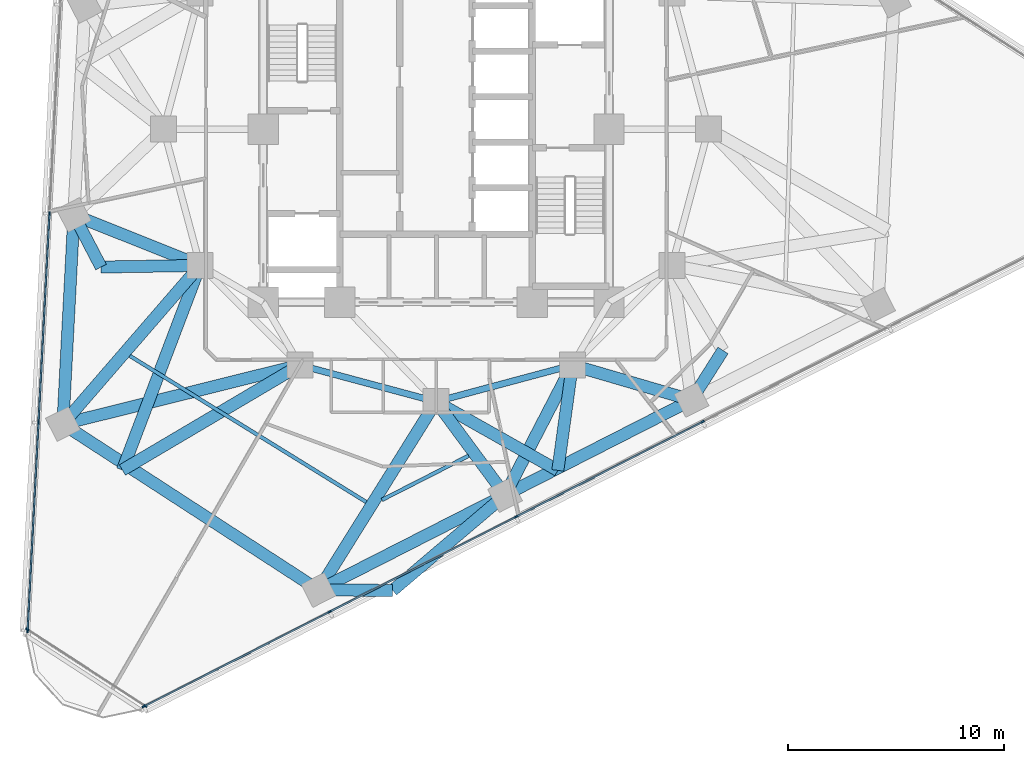
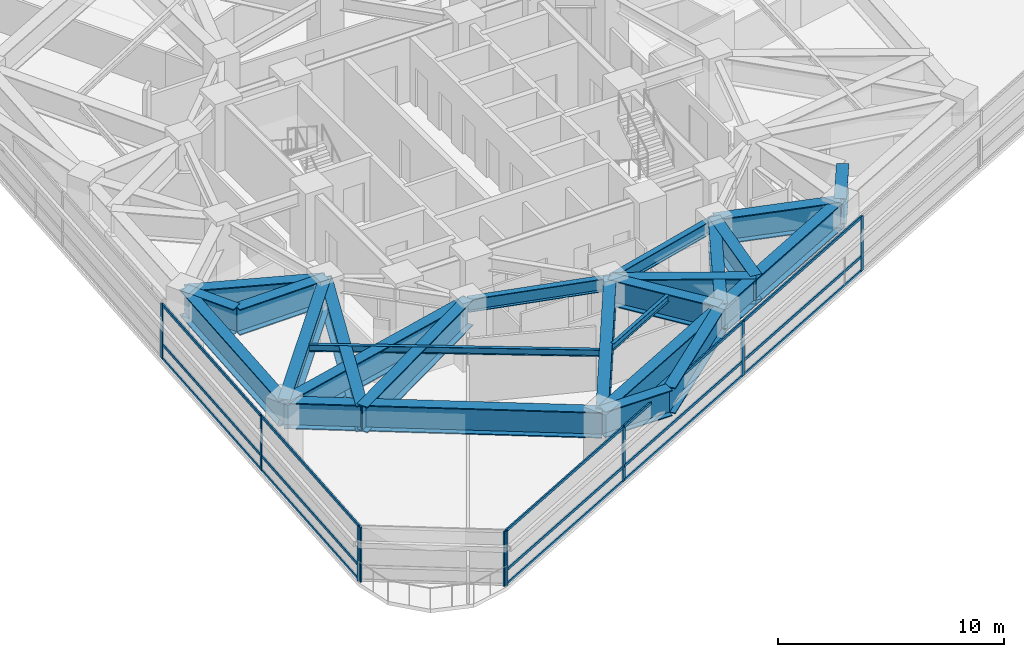
# One storey, part 2 of 15: 24 beams, 24 members, 3 elements without a shape of their own.
"""IFC4 building model written with IfcOpenShell, lengths in metres."""

from ifc_helpers import new_model, si_unit, direction, frame, origin, origin_2d, place, context, subcontext, project, spatial, rectangle, i_section, extrude, material, layer, layer_set, material_profile, profile_set, type_object, element, aggregate, save


model = new_model("IFC4")

# Units and contexts
model_context = context("Model", 3, precision=1e-05, world=origin(), true_north=direction((0.0, 1.0)))
body_context = subcontext(model_context, "Body", "Model", "MODEL_VIEW")
ifc_project = project(units=[si_unit("LENGTHUNIT", "METRE"), si_unit("AREAUNIT", "SQUARE_METRE"), si_unit("VOLUMEUNIT", "CUBIC_METRE"), si_unit("PLANEANGLEUNIT", "RADIAN"), si_unit("MASSUNIT", "GRAM", prefix="KILO")], contexts=[model_context])

# Site, building, storey
site_placement = place(None, origin())
site = spatial("IfcSite", under=ifc_project, at=site_placement, CompositionType="ELEMENT")
building_placement = place(site_placement, origin())
building = spatial("IfcBuilding", under=site, at=building_placement, Name="Terralouvre Media Tower", CompositionType="ELEMENT")
storey_placement = place(building_placement, frame((0.0, 0.0, 145.800048828125)))
storey = spatial("IfcBuildingStorey", under=building, at=storey_placement, Name="L37", CompositionType="ELEMENT", Elevation=145.800048828125)

# Beams
ifc_material_1 = material(Name="Structural steel S355J2", Category="steel")
ifc_material_profile_1 = material_profile(ifc_material_1, i_section(OverallWidth=0.169921875, OverallDepth=0.360107421875, WebThickness=0.008056640625, FlangeThickness=0.0126953125, at=origin_2d()), Name="IPE 360")
ifc_profile_set_1 = profile_set([ifc_material_profile_1], Name="Structural steel S355J2")
beam_type_1 = type_object("IfcBeamType", Name="Composite Floor Joist J-IPE360 (IPE 360)", PredefinedType="JOIST", material=ifc_profile_set_1)
beam_1_placement = place(storey_placement, frame((-14.163330078125, -10.482666015625, 3.280029296875), z_axis=(0.850515509908, -0.525949966638, 0.0), x_axis=(0.525949966638, 0.850515509908, 0.0)))
element("IfcBeam", 1, at=beam_1_placement, inside=storey, type_object=beam_type_1, Name="L37 Framing Beam JT-L37-02", PredefinedType="JOIST", context=body_context, shape_type="SweptSolid", body=[
    extrude(i_section(OverallWidth=0.169921875, OverallDepth=0.360107421875, WebThickness=0.008056640625, FlangeThickness=0.0126953125, at=origin_2d()), origin(), (0.0, 0.0, 1.0), 12.85888671875),
])
beam_2_placement = place(storey_placement, frame((-2.508056640625, -17.146484375, 3.280029296875), z_axis=(0.891005965992, 0.453991595261, 0.0), x_axis=(-0.453991595261, 0.891005965992, 0.0)))
element("IfcBeam", 2, at=beam_2_placement, inside=storey, type_object=beam_type_1, Name="L37 Framing Beam JT-L37-03", PredefinedType="JOIST", context=body_context, shape_type="SweptSolid", body=[
    extrude(i_section(OverallWidth=0.169921875, OverallDepth=0.360107421875, WebThickness=0.008056640625, FlangeThickness=0.0126953125, at=origin_2d()), origin(), (0.0, 0.0, 1.0), 4.5009765625),
])

# Curtain wall, members
ifc_material_2 = material(Name="Low-iron laminated double glazing with solar-control coating", Category="glass")
ifc_layer_1 = layer(ifc_material_2, 0.1650390625, Name="Production Studio Tower Curtain Wall CW-03")
ifc_layer_set_1 = layer_set([ifc_layer_1], Name="Low-iron laminated double glazing with solar-control coating")
curtain_wall_type_1 = type_object("IfcCurtainWallType", Name="Production Studio Tower Curtain Wall CW-03", PredefinedType="NOTDEFINED", material=ifc_layer_set_1)
curtain_wall_1_placement = place(storey_placement, origin())
curtain_wall_1 = element("IfcCurtainWall", 3, at=curtain_wall_1_placement, inside=storey, type_object=curtain_wall_type_1, Name="L37 Facade Curtain Wall F0", PredefinedType="NOTDEFINED")
ifc_material_3 = material(Name="Anodised extruded aluminium 6063-T6", Category="aluminium")
ifc_material_profile_2 = material_profile(ifc_material_3, rectangle(XDim=0.074951171875, YDim=0.14990234375, at=origin_2d()), Name="ALU 75x150")
ifc_profile_set_2 = profile_set([ifc_material_profile_2], Name="Anodised extruded aluminium 6063-T6")
member_type_1 = type_object("IfcMemberType", Name="Curtain-Wall Horizontal Transom TR-150", PredefinedType="USERDEFINED", material=ifc_profile_set_2)
member_1_placement = place(storey_placement, frame((-13.481689453125, -26.680419921875, 0.037353515625), z_axis=(0.891007557644, 0.453988471462, 0.0), x_axis=(-0.453988471462, 0.891007557644, 0.0)))
member_1 = element("IfcMember", 4, at=member_1_placement, type_object=member_type_1, Name="CW-03 transom 1.1", ObjectType="TRANSOM", PredefinedType="USERDEFINED", context=body_context, shape_type="SweptSolid", body=[
    extrude(rectangle(XDim=0.074951171875, YDim=0.14990234375, at=origin_2d()), origin(), (0.0, 0.0, 1.0), 9.5673828125),
])
member_2_placement = place(storey_placement, frame((-13.481689453125, -26.680419921875, 0.800048828125), z_axis=(0.891007557644, 0.453988471462, 0.0), x_axis=(-0.453988471462, 0.891007557644, 0.0)))
member_2 = element("IfcMember", 5, at=member_2_placement, type_object=member_type_1, Name="CW-03 transom 1.2", ObjectType="TRANSOM", PredefinedType="USERDEFINED", context=body_context, shape_type="SweptSolid", body=[
    extrude(rectangle(XDim=0.074951171875, YDim=0.14990234375, at=origin_2d()), origin(), (0.0, 0.0, 1.0), 9.5673828125),
])
member_3_placement = place(storey_placement, frame((-13.481689453125, -26.680419921875, 2.92236328125), z_axis=(0.891007557644, 0.453988471462, 0.0), x_axis=(-0.453988471462, 0.891007557644, 0.0)))
member_3 = element("IfcMember", 6, at=member_3_placement, type_object=member_type_1, Name="CW-03 transom 1.3", ObjectType="TRANSOM", PredefinedType="USERDEFINED", context=body_context, shape_type="SweptSolid", body=[
    extrude(rectangle(XDim=0.074951171875, YDim=0.14990234375, at=origin_2d()), origin(), (0.0, 0.0, 1.0), 9.5673828125),
])
member_4_placement = place(storey_placement, frame((-4.89013671875, -22.302978515625, 0.037353515625), z_axis=(0.891005548508, 0.453992414615, 0.0), x_axis=(-0.453992414615, 0.891005548508, 0.0)))
member_4 = element("IfcMember", 7, at=member_4_placement, type_object=member_type_1, Name="CW-03 transom 2.1", ObjectType="TRANSOM", PredefinedType="USERDEFINED", context=body_context, shape_type="SweptSolid", body=[
    extrude(rectangle(XDim=0.074951171875, YDim=0.14990234375, at=origin_2d()), origin(), (0.0, 0.0, 1.0), 9.60498046875),
])
member_5_placement = place(storey_placement, frame((-4.89013671875, -22.302978515625, 0.800048828125), z_axis=(0.891005548508, 0.453992414615, 0.0), x_axis=(-0.453992414615, 0.891005548508, 0.0)))
member_5 = element("IfcMember", 8, at=member_5_placement, type_object=member_type_1, Name="CW-03 transom 2.2", ObjectType="TRANSOM", PredefinedType="USERDEFINED", context=body_context, shape_type="SweptSolid", body=[
    extrude(rectangle(XDim=0.074951171875, YDim=0.14990234375, at=origin_2d()), origin(), (0.0, 0.0, 1.0), 9.60498046875),
])
member_6_placement = place(storey_placement, frame((-4.89013671875, -22.302978515625, 2.92236328125), z_axis=(0.891005548508, 0.453992414615, 0.0), x_axis=(-0.453992414615, 0.891005548508, 0.0)))
member_6 = element("IfcMember", 9, at=member_6_placement, type_object=member_type_1, Name="CW-03 transom 2.3", ObjectType="TRANSOM", PredefinedType="USERDEFINED", context=body_context, shape_type="SweptSolid", body=[
    extrude(rectangle(XDim=0.074951171875, YDim=0.14990234375, at=origin_2d()), origin(), (0.0, 0.0, 1.0), 9.60498046875),
])
member_7_placement = place(storey_placement, frame((3.734619140625, -17.908203125, 0.037353515625), z_axis=(0.891005548508, 0.453992414615, 0.0), x_axis=(-0.453992414615, 0.891005548508, 0.0)))
member_7 = element("IfcMember", 10, at=member_7_placement, type_object=member_type_1, Name="CW-03 transom 3.1", ObjectType="TRANSOM", PredefinedType="USERDEFINED", context=body_context, shape_type="SweptSolid", body=[
    extrude(rectangle(XDim=0.074951171875, YDim=0.14990234375, at=origin_2d()), origin(), (0.0, 0.0, 1.0), 9.60498046875),
])
member_8_placement = place(storey_placement, frame((3.734619140625, -17.908203125, 0.800048828125), z_axis=(0.891005548508, 0.453992414615, 0.0), x_axis=(-0.453992414615, 0.891005548508, 0.0)))
member_8 = element("IfcMember", 11, at=member_8_placement, type_object=member_type_1, Name="CW-03 transom 3.2", ObjectType="TRANSOM", PredefinedType="USERDEFINED", context=body_context, shape_type="SweptSolid", body=[
    extrude(rectangle(XDim=0.074951171875, YDim=0.14990234375, at=origin_2d()), origin(), (0.0, 0.0, 1.0), 9.60498046875),
])
member_9_placement = place(storey_placement, frame((3.734619140625, -17.908203125, 2.92236328125), z_axis=(0.891005548508, 0.453992414615, 0.0), x_axis=(-0.453992414615, 0.891005548508, 0.0)))
member_9 = element("IfcMember", 12, at=member_9_placement, type_object=member_type_1, Name="CW-03 transom 3.3", ObjectType="TRANSOM", PredefinedType="USERDEFINED", context=body_context, shape_type="SweptSolid", body=[
    extrude(rectangle(XDim=0.074951171875, YDim=0.14990234375, at=origin_2d()), origin(), (0.0, 0.0, 1.0), 9.60498046875),
])

curtain_wall_2_placement = place(storey_placement, origin())
curtain_wall_2 = element("IfcCurtainWall", 13, at=curtain_wall_2_placement, inside=storey, type_object=curtain_wall_type_1, Name="L37 Facade Curtain Wall F2", PredefinedType="NOTDEFINED")
member_10_placement = place(storey_placement, frame((-17.883056640625, -3.947021484375, 0.037353515625), z_axis=(-0.052336036535, -0.998629530547, 0.0), x_axis=(0.998629530547, -0.052336036535, 0.0)))
member_10 = element("IfcMember", 14, at=member_10_placement, type_object=member_type_1, Name="CW-03 transom 4.1", ObjectType="TRANSOM", PredefinedType="USERDEFINED", context=body_context, shape_type="SweptSolid", body=[
    extrude(rectangle(XDim=0.074951171875, YDim=0.14990234375, at=origin_2d()), origin(), (0.0, 0.0, 1.0), 9.60498046875),
])
member_11_placement = place(storey_placement, frame((-17.883056640625, -3.947021484375, 0.800048828125), z_axis=(-0.052336036535, -0.998629530547, 0.0), x_axis=(0.998629530547, -0.052336036535, 0.0)))
member_11 = element("IfcMember", 15, at=member_11_placement, type_object=member_type_1, Name="CW-03 transom 4.2", ObjectType="TRANSOM", PredefinedType="USERDEFINED", context=body_context, shape_type="SweptSolid", body=[
    extrude(rectangle(XDim=0.074951171875, YDim=0.14990234375, at=origin_2d()), origin(), (0.0, 0.0, 1.0), 9.60498046875),
])
member_12_placement = place(storey_placement, frame((-17.883056640625, -3.947021484375, 2.92236328125), z_axis=(-0.052336036535, -0.998629530547, 0.0), x_axis=(0.998629530547, -0.052336036535, 0.0)))
member_12 = element("IfcMember", 16, at=member_12_placement, type_object=member_type_1, Name="CW-03 transom 4.3", ObjectType="TRANSOM", PredefinedType="USERDEFINED", context=body_context, shape_type="SweptSolid", body=[
    extrude(rectangle(XDim=0.074951171875, YDim=0.14990234375, at=origin_2d()), origin(), (0.0, 0.0, 1.0), 9.60498046875),
])
member_13_placement = place(storey_placement, frame((-18.3896484375, -13.61376953125, 0.037353515625), z_axis=(-0.052336504837, -0.998629506004, 0.0), x_axis=(0.998629506004, -0.052336504837, 0.0)))
member_13 = element("IfcMember", 17, at=member_13_placement, type_object=member_type_1, Name="CW-03 transom 5.1", ObjectType="TRANSOM", PredefinedType="USERDEFINED", context=body_context, shape_type="SweptSolid", body=[
    extrude(rectangle(XDim=0.074951171875, YDim=0.14990234375, at=origin_2d()), origin(), (0.0, 0.0, 1.0), 9.567626953125),
])
member_14_placement = place(storey_placement, frame((-18.3896484375, -13.61376953125, 0.800048828125), z_axis=(-0.052336504837, -0.998629506004, 0.0), x_axis=(0.998629506004, -0.052336504837, 0.0)))
member_14 = element("IfcMember", 18, at=member_14_placement, type_object=member_type_1, Name="CW-03 transom 5.2", ObjectType="TRANSOM", PredefinedType="USERDEFINED", context=body_context, shape_type="SweptSolid", body=[
    extrude(rectangle(XDim=0.074951171875, YDim=0.14990234375, at=origin_2d()), origin(), (0.0, 0.0, 1.0), 9.567626953125),
])
member_15_placement = place(storey_placement, frame((-18.3896484375, -13.61376953125, 2.92236328125), z_axis=(-0.052336504837, -0.998629506004, 0.0), x_axis=(0.998629506004, -0.052336504837, 0.0)))
member_15 = element("IfcMember", 19, at=member_15_placement, type_object=member_type_1, Name="CW-03 transom 5.3", ObjectType="TRANSOM", PredefinedType="USERDEFINED", context=body_context, shape_type="SweptSolid", body=[
    extrude(rectangle(XDim=0.074951171875, YDim=0.14990234375, at=origin_2d()), origin(), (0.0, 0.0, 1.0), 9.567626953125),
])

# Member
ifc_material_4 = material(Name="Anodised extruded aluminium 6063-T6", Category="aluminium")
ifc_material_profile_3 = material_profile(ifc_material_4, rectangle(XDim=0.074951171875, YDim=0.179931640625, at=origin_2d()), Name="ALU 75x180")
ifc_profile_set_3 = profile_set([ifc_material_profile_3], Name="Anodised extruded aluminium 6063-T6")
member_type_2 = type_object("IfcMemberType", Name="Curtain-Wall Vertical Mullion ML-180", PredefinedType="MULLION", material=ifc_profile_set_3)
member_16_placement = place(storey_placement, frame((-13.51513671875, -26.697509765625, 0.0), z_axis=(0.0, 0.0, 1.0), x_axis=(-0.4539905449, 0.891006501178, 0.0)))
member_16 = element("IfcMember", 20, at=member_16_placement, type_object=member_type_2, Name="CW-03 mullion 1", PredefinedType="MULLION", context=body_context, shape_type="SweptSolid", body=[
    extrude(rectangle(XDim=0.074951171875, YDim=0.179931640625, at=origin_2d()), origin(), (0.0, 0.0, 1.0), 2.9599609375),
])

member_17_placement = place(storey_placement, frame((-4.923583984375, -22.31982421875, 0.0), z_axis=(0.0, 0.0, 1.0), x_axis=(-0.4539905449, 0.891006501178, 0.0)))
member_17 = element("IfcMember", 21, at=member_17_placement, type_object=member_type_2, Name="CW-03 mullion 2", PredefinedType="MULLION", context=body_context, shape_type="SweptSolid", body=[
    extrude(rectangle(XDim=0.074951171875, YDim=0.179931640625, at=origin_2d()), origin(), (0.0, 0.0, 1.0), 2.9599609375),
])

member_18_placement = place(storey_placement, frame((3.701416015625, -17.92529296875, 0.0), z_axis=(0.0, 0.0, 1.0), x_axis=(-0.4539905449, 0.891006501178, 0.0)))
member_18 = element("IfcMember", 22, at=member_18_placement, type_object=member_type_2, Name="CW-03 mullion 3", PredefinedType="MULLION", context=body_context, shape_type="SweptSolid", body=[
    extrude(rectangle(XDim=0.074951171875, YDim=0.179931640625, at=origin_2d()), origin(), (0.0, 0.0, 1.0), 2.9599609375),
])

member_19_placement = place(storey_placement, frame((12.326171875, -13.530517578125, 0.0), z_axis=(0.0, 0.0, 1.0), x_axis=(-0.4539905449, 0.891006501178, 0.0)))
member_19 = element("IfcMember", 23, at=member_19_placement, type_object=member_type_2, Name="CW-03 mullion 4", PredefinedType="MULLION", context=body_context, shape_type="SweptSolid", body=[
    extrude(rectangle(XDim=0.074951171875, YDim=0.179931640625, at=origin_2d()), origin(), (0.0, 0.0, 1.0), 2.9599609375),
])

aggregate(curtain_wall_1, [member_16, member_17, member_18, member_19, member_1, member_2, member_3, member_4, member_5, member_6, member_7, member_8, member_9])

member_20_placement = place(storey_placement, frame((-17.881103515625, -3.909423828125, 0.0), z_axis=(0.0, 0.0, 1.0), x_axis=(0.998629535089, -0.052335949864, 0.0)))
member_20 = element("IfcMember", 24, at=member_20_placement, type_object=member_type_2, Name="CW-03 mullion 4", PredefinedType="MULLION", context=body_context, shape_type="SweptSolid", body=[
    extrude(rectangle(XDim=0.074951171875, YDim=0.179931640625, at=origin_2d()), origin(), (0.0, 0.0, 1.0), 2.9599609375),
])

member_21_placement = place(storey_placement, frame((-18.3876953125, -13.576171875, 0.0), z_axis=(0.0, 0.0, 1.0), x_axis=(0.998629535089, -0.052335949864, 0.0)))
member_21 = element("IfcMember", 25, at=member_21_placement, type_object=member_type_2, Name="CW-03 mullion 5", PredefinedType="MULLION", context=body_context, shape_type="SweptSolid", body=[
    extrude(rectangle(XDim=0.074951171875, YDim=0.179931640625, at=origin_2d()), origin(), (0.0, 0.0, 1.0), 2.9599609375),
])

member_22_placement = place(storey_placement, frame((-18.892333984375, -23.20556640625, 0.0), z_axis=(0.0, 0.0, 1.0), x_axis=(0.998629535089, -0.052335949864, 0.0)))
member_22 = element("IfcMember", 26, at=member_22_placement, type_object=member_type_2, Name="CW-03 mullion 6", PredefinedType="MULLION", context=body_context, shape_type="SweptSolid", body=[
    extrude(rectangle(XDim=0.074951171875, YDim=0.179931640625, at=origin_2d()), origin(), (0.0, 0.0, 1.0), 2.9599609375),
])

aggregate(curtain_wall_2, [member_20, member_21, member_22, member_10, member_11, member_12, member_13, member_14, member_15])

# Curtain wall, members
ifc_material_5 = material(Name="Low-iron laminated double glazing with solar-control coating", Category="glass")
ifc_layer_2 = layer(ifc_material_5, 0.1650390625, Name="Rounded Wind-Corner Curved Glazing CW-04")
ifc_layer_set_2 = layer_set([ifc_layer_2], Name="Low-iron laminated double glazing with solar-control coating")
curtain_wall_type_2 = type_object("IfcCurtainWallType", Name="Rounded Wind-Corner Curved Glazing CW-04", PredefinedType="NOTDEFINED", material=ifc_layer_set_2)
curtain_wall_3_placement = place(storey_placement, origin())
curtain_wall_3 = element("IfcCurtainWall", 27, at=curtain_wall_3_placement, inside=storey, type_object=curtain_wall_type_2, Name="L37 Rounded Wind-Corner Curtain Wall C0", PredefinedType="NOTDEFINED")
member_23_placement = place(storey_placement, frame((-18.90625, -23.1396484375, 0.0), z_axis=(0.0, 0.0, 1.0), x_axis=(0.544639308152, 0.838670390568, 0.0)))
member_23 = element("IfcMember", 28, at=member_23_placement, type_object=member_type_2, Name="CW-04 mullion 1", PredefinedType="MULLION", context=body_context, shape_type="SweptSolid", body=[
    extrude(rectangle(XDim=0.074951171875, YDim=0.179931640625, at=origin_2d()), origin(), (0.0, 0.0, 1.0), 2.9599609375),
])
member_24_placement = place(storey_placement, frame((-13.44921875, -26.68359375, 0.0), z_axis=(0.0, 0.0, 1.0), x_axis=(0.544639308152, 0.838670390568, 0.0)))
member_24 = element("IfcMember", 29, at=member_24_placement, type_object=member_type_2, Name="CW-04 mullion 2", PredefinedType="MULLION", context=body_context, shape_type="SweptSolid", body=[
    extrude(rectangle(XDim=0.074951171875, YDim=0.179931640625, at=origin_2d()), origin(), (0.0, 0.0, 1.0), 2.9599609375),
])
aggregate(curtain_wall_3, [member_23, member_24])

# Beams
ifc_material_6 = material(Name="Structural steel S460M", Category="steel")
ifc_material_profile_4 = material_profile(ifc_material_6, i_section(OverallWidth=0.300048828125, OverallDepth=0.699951171875, WebThickness=0.01708984375, FlangeThickness=0.031982421875, at=origin_2d()), Name="HEB 700")
ifc_profile_set_4 = profile_set([ifc_material_profile_4], Name="Structural steel S460M")
beam_type_2 = type_object("IfcBeamType", Name="Primary Floor Girder B-HEB700 (HEB 700)", PredefinedType="BEAM", material=ifc_profile_set_4)
for number, where, z_axis, x_axis, name in (
    (30, (-6.300048828125, -10.911865234375, 3.10986328125), (0.965920481897, -0.258838989821, 0.0), (0.258838989821, 0.965920481897, 0.0), "L37 Framing Beam BM-L37-MR02"),
    (31, (0.0, -12.60009765625, 3.10986328125), (0.965920481897, 0.258838989821, 0.0), (-0.258838989821, 0.965920481897, 0.0), "L37 Framing Beam BM-L37-MR03"),
):
    element("IfcBeam", number, at=place(storey_placement, frame(where, z_axis=z_axis, x_axis=x_axis)), inside=storey, type_object=beam_type_2, Name=name, PredefinedType="BEAM", context=body_context, shape_type="SweptSolid", body=[
        extrude(i_section(OverallWidth=0.300048828125, OverallDepth=0.699951171875, WebThickness=0.01708984375, FlangeThickness=0.031982421875, at=origin_2d()), origin(), (0.0, 0.0, 1.0), 6.522216796875),
    ])
ifc_material_7 = material(Name="Structural steel S460M", Category="steel")
ifc_material_profile_5 = material_profile(ifc_material_7, i_section(OverallWidth=0.56005859375, OverallDepth=1.39990234375, WebThickness=0.031982421875, FlangeThickness=0.050048828125, at=origin_2d()), Name="TG 1400x560")
ifc_profile_set_5 = profile_set([ifc_material_profile_5], Name="Structural steel S460M")
beam_type_3 = type_object("IfcBeamType", Name="Welded Transfer Girder TG-1400 (TG 1400x560)", PredefinedType="USERDEFINED", material=ifc_profile_set_5)
beam_3_placement = place(storey_placement, frame((-16.75244140625, -3.96875, 2.760009765625), z_axis=(-0.052333792648, -0.998629648141, 0.0), x_axis=(0.998629648141, -0.052333792648, 0.0)))
element("IfcBeam", 32, at=beam_3_placement, inside=storey, type_object=beam_type_3, Name="L37 Framing Beam BM-L37-PR01", ObjectType="TRANSFER GIRDER", PredefinedType="USERDEFINED", context=body_context, shape_type="SweptSolid", body=[
    extrude(i_section(OverallWidth=0.56005859375, OverallDepth=1.39990234375, WebThickness=0.031982421875, FlangeThickness=0.050048828125, at=origin_2d()), origin(), (0.0, 0.0, 1.0), 9.679931640625),
])
beam_4_placement = place(storey_placement, frame((-17.259033203125, -13.635498046875, 2.760009765625), z_axis=(0.838675019369, -0.544632180363, 0.0), x_axis=(0.544632180363, 0.838675019369, 0.0)))
element("IfcBeam", 33, at=beam_4_placement, inside=storey, type_object=beam_type_3, Name="L37 Framing Beam BM-L37-PR02", ObjectType="TRANSFER GIRDER", PredefinedType="USERDEFINED", context=body_context, shape_type="SweptSolid", body=[
    extrude(i_section(OverallWidth=0.56005859375, OverallDepth=1.39990234375, WebThickness=0.031982421875, FlangeThickness=0.050048828125, at=origin_2d()), origin(), (0.0, 0.0, 1.0), 14.0966796875),
])
beam_5_placement = place(storey_placement, frame((-5.4365234375, -21.31298828125, 2.760009765625), z_axis=(0.891006580855, 0.453990388524, 0.0), x_axis=(-0.453990388524, 0.891006580855, 0.0)))
element("IfcBeam", 34, at=beam_5_placement, inside=storey, type_object=beam_type_3, Name="L37 Framing Beam BM-L37-PR03", ObjectType="TRANSFER GIRDER", PredefinedType="USERDEFINED", context=body_context, shape_type="SweptSolid", body=[
    extrude(i_section(OverallWidth=0.56005859375, OverallDepth=1.39990234375, WebThickness=0.031982421875, FlangeThickness=0.050048828125, at=origin_2d()), origin(), (0.0, 0.0, 1.0), 9.6796875),
])
beam_6_placement = place(storey_placement, frame((3.188232421875, -16.91845703125, 2.760009765625), z_axis=(0.891001576959, 0.454000209093, 0.0), x_axis=(-0.454000209093, 0.891001576959, 0.0)))
element("IfcBeam", 35, at=beam_6_placement, inside=storey, type_object=beam_type_3, Name="L37 Framing Beam BM-L37-PR04", ObjectType="TRANSFER GIRDER", PredefinedType="USERDEFINED", context=body_context, shape_type="SweptSolid", body=[
    extrude(i_section(OverallWidth=0.56005859375, OverallDepth=1.39990234375, WebThickness=0.031982421875, FlangeThickness=0.050048828125, at=origin_2d()), origin(), (0.0, 0.0, 1.0), 9.68017578125),
])
beam_7_placement = place(storey_placement, frame((-10.911865234375, -6.300048828125, 2.760009765625), z_axis=(-0.654328588351, -0.756210353319, 0.0), x_axis=(0.756210353319, -0.654328588351, 0.0)))
element("IfcBeam", 36, at=beam_7_placement, inside=storey, type_object=beam_type_3, Name="L37 Framing Beam BM-L37-RD02", ObjectType="TRANSFER GIRDER", PredefinedType="USERDEFINED", context=body_context, shape_type="SweptSolid", body=[
    extrude(i_section(OverallWidth=0.56005859375, OverallDepth=1.39990234375, WebThickness=0.031982421875, FlangeThickness=0.050048828125, at=origin_2d()), origin(), (0.0, 0.0, 1.0), 9.7001953125),
])
beam_8_placement = place(storey_placement, frame((0.0, -12.60009765625, 2.760009765625), z_axis=(-0.529366283505, -0.848393386282, 0.0), x_axis=(0.848393386282, -0.529366283505, 0.0)))
element("IfcBeam", 37, at=beam_8_placement, inside=storey, type_object=beam_type_3, Name="L37 Framing Beam BM-L37-RD03", ObjectType="TRANSFER GIRDER", PredefinedType="USERDEFINED", context=body_context, shape_type="SweptSolid", body=[
    extrude(i_section(OverallWidth=0.56005859375, OverallDepth=1.39990234375, WebThickness=0.031982421875, FlangeThickness=0.050048828125, at=origin_2d()), origin(), (0.0, 0.0, 1.0), 10.269775390625),
])
beam_9_placement = place(storey_placement, frame((0.0, -12.60009765625, 2.760009765625), z_axis=(0.593957444229, -0.804496460182, 0.0), x_axis=(0.804496460182, 0.593957444229, 0.0)))
element("IfcBeam", 38, at=beam_9_placement, inside=storey, type_object=beam_type_3, Name="L37 Framing Beam BM-L37-RD04", ObjectType="TRANSFER GIRDER", PredefinedType="USERDEFINED", context=body_context, shape_type="SweptSolid", body=[
    extrude(i_section(OverallWidth=0.56005859375, OverallDepth=1.39990234375, WebThickness=0.031982421875, FlangeThickness=0.050048828125, at=origin_2d()), origin(), (0.0, 0.0, 1.0), 5.36767578125),
])
beam_10_placement = place(storey_placement, frame((6.300048828125, -10.911865234375, 2.760009765625), z_axis=(0.959821765834, -0.280610366577, 0.0), x_axis=(0.280610366577, 0.959821765834, 0.0)))
element("IfcBeam", 39, at=beam_10_placement, inside=storey, type_object=beam_type_3, Name="L37 Framing Beam BM-L37-RD05", ObjectType="TRANSFER GIRDER", PredefinedType="USERDEFINED", context=body_context, shape_type="SweptSolid", body=[
    extrude(i_section(OverallWidth=0.56005859375, OverallDepth=1.39990234375, WebThickness=0.031982421875, FlangeThickness=0.050048828125, at=origin_2d()), origin(), (0.0, 0.0, 1.0), 5.743896484375),
])
beam_11_placement = place(storey_placement, frame((-2.0068359375, -21.328369140625, 2.760009765625), z_axis=(-0.999989944225, 0.004484579049, 0.0), x_axis=(-0.004484579049, -0.999989944225, 0.0)))
element("IfcBeam", 40, at=beam_11_placement, inside=storey, type_object=beam_type_3, Name="L37 Framing Beam BM-L37-TR01S1", ObjectType="TRANSFER GIRDER", PredefinedType="USERDEFINED", context=body_context, shape_type="SweptSolid", body=[
    extrude(i_section(OverallWidth=0.56005859375, OverallDepth=1.39990234375, WebThickness=0.031982421875, FlangeThickness=0.050048828125, at=origin_2d()), origin(), (0.0, 0.0, 1.0), 3.4296875),
])
beam_12_placement = place(storey_placement, frame((-2.0068359375, -21.328369140625, 2.760009765625), z_axis=(0.762366114163, 0.647145971151, 0.0), x_axis=(-0.647145971151, 0.762366114163, 0.0)))
element("IfcBeam", 41, at=beam_12_placement, inside=storey, type_object=beam_type_3, Name="L37 Framing Beam BM-L37-TR01S2", ObjectType="TRANSFER GIRDER", PredefinedType="USERDEFINED", context=body_context, shape_type="SweptSolid", body=[
    extrude(i_section(OverallWidth=0.56005859375, OverallDepth=1.39990234375, WebThickness=0.031982421875, FlangeThickness=0.050048828125, at=origin_2d()), origin(), (0.0, 0.0, 1.0), 6.814453125),
])
beam_13_placement = place(storey_placement, frame((3.188232421875, -16.91845703125, 2.760009765625), z_axis=(0.460001105334, 0.887918342581, 0.0), x_axis=(-0.887918342581, 0.460001105334, 0.0)))
element("IfcBeam", 42, at=beam_13_placement, inside=storey, type_object=beam_type_3, Name="L37 Framing Beam BM-L37-TRC02", ObjectType="TRANSFER GIRDER", PredefinedType="USERDEFINED", context=body_context, shape_type="SweptSolid", body=[
    extrude(i_section(OverallWidth=0.56005859375, OverallDepth=1.39990234375, WebThickness=0.031982421875, FlangeThickness=0.050048828125, at=origin_2d()), origin(), (0.0, 0.0, 1.0), 6.764892578125),
])
beam_14_placement = place(storey_placement, frame((5.63037109375, -15.77978515625, 2.760009765625), z_axis=(0.136285998947, 0.990669534452, 0.0), x_axis=(-0.990669534452, 0.136285998947, 0.0)))
element("IfcBeam", 43, at=beam_14_placement, inside=storey, type_object=beam_type_3, Name="L37 Framing Beam BM-L37-TR02S1", ObjectType="TRANSFER GIRDER", PredefinedType="USERDEFINED", context=body_context, shape_type="SweptSolid", body=[
    extrude(i_section(OverallWidth=0.56005859375, OverallDepth=1.39990234375, WebThickness=0.031982421875, FlangeThickness=0.050048828125, at=origin_2d()), origin(), (0.0, 0.0, 1.0), 4.913818359375),
])
beam_15_placement = place(storey_placement, frame((5.63037109375, -15.77978515625, 2.760009765625), z_axis=(-0.870741394697, 0.491741216049, 0.0), x_axis=(-0.491741216049, -0.870741394697, 0.0)))
element("IfcBeam", 44, at=beam_15_placement, inside=storey, type_object=beam_type_3, Name="L37 Framing Beam BM-L37-TR02S2", ObjectType="TRANSFER GIRDER", PredefinedType="USERDEFINED", context=body_context, shape_type="SweptSolid", body=[
    extrude(i_section(OverallWidth=0.56005859375, OverallDepth=1.39990234375, WebThickness=0.031982421875, FlangeThickness=0.050048828125, at=origin_2d()), origin(), (0.0, 0.0, 1.0), 6.466064453125),
])
beam_16_placement = place(storey_placement, frame((13.267578125, -10.23095703125, 2.760009765625), z_axis=(-0.535653075858, -0.844438145943, 0.0), x_axis=(0.844438145943, -0.535653075858, 0.0)))
element("IfcBeam", 45, at=beam_16_placement, inside=storey, type_object=beam_type_3, Name="L37 Framing Beam BM-L37-TR03S1", ObjectType="TRANSFER GIRDER", PredefinedType="USERDEFINED", context=body_context, shape_type="SweptSolid", body=[
    extrude(i_section(OverallWidth=0.56005859375, OverallDepth=1.39990234375, WebThickness=0.031982421875, FlangeThickness=0.050048828125, at=origin_2d()), origin(), (0.0, 0.0, 1.0), 2.715087890625),
])
beam_17_placement = place(storey_placement, frame((-16.75244140625, -3.96875, 2.760009765625), z_axis=(0.928746862449, -0.370714533693, 0.0), x_axis=(0.370714533693, 0.928746862449, 0.0)))
element("IfcBeam", 46, at=beam_17_placement, inside=storey, type_object=beam_type_3, Name="L37 Framing Beam BM-L37-TRC11", ObjectType="TRANSFER GIRDER", PredefinedType="USERDEFINED", context=body_context, shape_type="SweptSolid", body=[
    extrude(i_section(OverallWidth=0.56005859375, OverallDepth=1.39990234375, WebThickness=0.031982421875, FlangeThickness=0.050048828125, at=origin_2d()), origin(), (0.0, 0.0, 1.0), 6.28857421875),
])
beam_18_placement = place(storey_placement, frame((-15.494140625, -6.37451171875, 2.760009765625), z_axis=(-0.463469284152, 0.886112985261, 0.0), x_axis=(-0.886112985261, -0.463469284152, 0.0)))
element("IfcBeam", 47, at=beam_18_placement, inside=storey, type_object=beam_type_3, Name="L37 Framing Beam BM-L37-TR11S1", ObjectType="TRANSFER GIRDER", PredefinedType="USERDEFINED", context=body_context, shape_type="SweptSolid", body=[
    extrude(i_section(OverallWidth=0.56005859375, OverallDepth=1.39990234375, WebThickness=0.031982421875, FlangeThickness=0.050048828125, at=origin_2d()), origin(), (0.0, 0.0, 1.0), 2.71484375),
])
beam_19_placement = place(storey_placement, frame((-15.494140625, -6.37451171875, 2.760009765625), z_axis=(0.999867991647, 0.016248054635, 0.0), x_axis=(-0.016248054635, 0.999867991647, 0.0)))
element("IfcBeam", 48, at=beam_19_placement, inside=storey, type_object=beam_type_3, Name="L37 Framing Beam BM-L37-TR11S2", ObjectType="TRANSFER GIRDER", PredefinedType="USERDEFINED", context=body_context, shape_type="SweptSolid", body=[
    extrude(i_section(OverallWidth=0.56005859375, OverallDepth=1.39990234375, WebThickness=0.031982421875, FlangeThickness=0.050048828125, at=origin_2d()), origin(), (0.0, 0.0, 1.0), 4.582763671875),
])
beam_20_placement = place(storey_placement, frame((-17.259033203125, -13.635498046875, 2.760009765625), z_axis=(0.970477316043, 0.24119241084, 0.0), x_axis=(-0.24119241084, 0.970477316043, 0.0)))
element("IfcBeam", 49, at=beam_20_placement, inside=storey, type_object=beam_type_3, Name="L37 Framing Beam BM-L37-TRC12", ObjectType="TRANSFER GIRDER", PredefinedType="USERDEFINED", context=body_context, shape_type="SweptSolid", body=[
    extrude(i_section(OverallWidth=0.56005859375, OverallDepth=1.39990234375, WebThickness=0.031982421875, FlangeThickness=0.050048828125, at=origin_2d()), origin(), (0.0, 0.0, 1.0), 11.29248046875),
])
beam_21_placement = place(storey_placement, frame((-14.50732421875, -15.7626953125, 2.760009765625), z_axis=(0.86087707212, 0.508812997768, 0.0), x_axis=(-0.508812997768, 0.86087707212, 0.0)))
element("IfcBeam", 50, at=beam_21_placement, inside=storey, type_object=beam_type_3, Name="L37 Framing Beam BM-L37-TR12S1", ObjectType="TRANSFER GIRDER", PredefinedType="USERDEFINED", context=body_context, shape_type="SweptSolid", body=[
    extrude(i_section(OverallWidth=0.56005859375, OverallDepth=1.39990234375, WebThickness=0.031982421875, FlangeThickness=0.050048828125, at=origin_2d()), origin(), (0.0, 0.0, 1.0), 9.53369140625),
])
beam_22_placement = place(storey_placement, frame((-14.50732421875, -15.7626953125, 2.760009765625), z_axis=(0.355187834054, 0.934794952136, 0.0), x_axis=(-0.934794952136, 0.355187834054, 0.0)))
element("IfcBeam", 51, at=beam_22_placement, inside=storey, type_object=beam_type_3, Name="L37 Framing Beam BM-L37-TR12S2", ObjectType="TRANSFER GIRDER", PredefinedType="USERDEFINED", context=body_context, shape_type="SweptSolid", body=[
    extrude(i_section(OverallWidth=0.56005859375, OverallDepth=1.39990234375, WebThickness=0.031982421875, FlangeThickness=0.050048828125, at=origin_2d()), origin(), (0.0, 0.0, 1.0), 10.122802734375),
])

save(model, "model.ifc")
